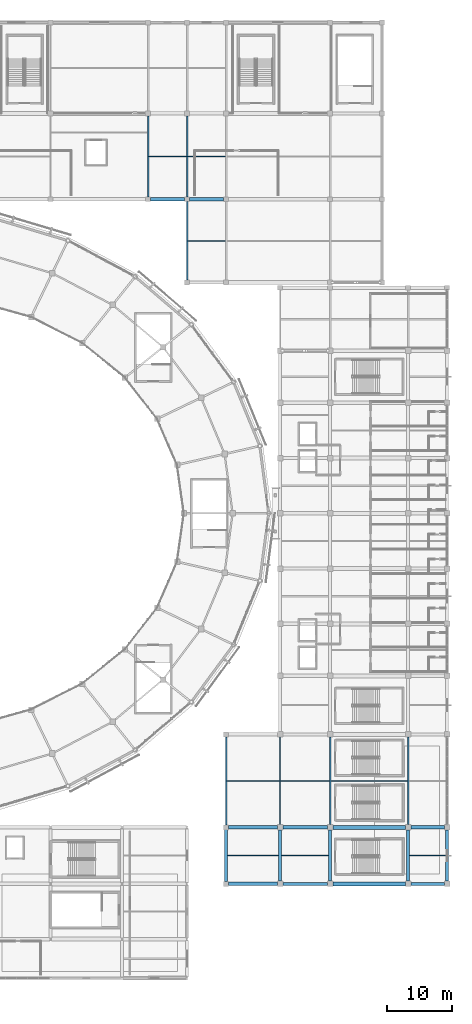
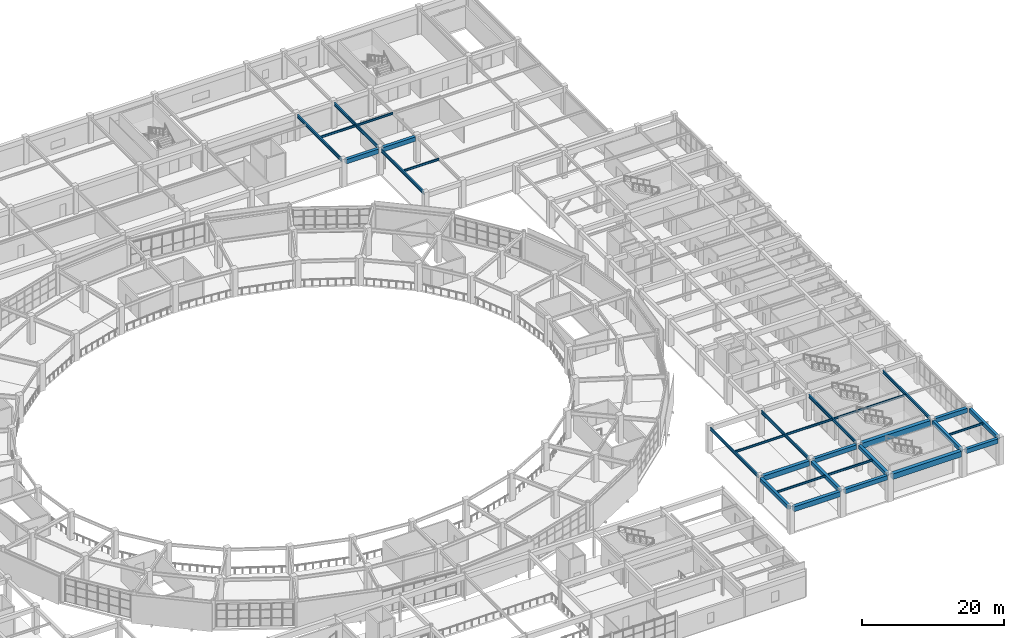
# One storey, part 51 of 112: 31 beams.
"""IFC4 building model written with IfcOpenShell, lengths in metres."""

import ifcopenshell
import ifcopenshell.guid

model = None  # the IFC model being written
_history = None  # IfcOwnerHistory: only IFC2X3 demands one
_inside = {}  # id of a spatial element -> (the spatial element, [elements in it])
_under = {}  # id of a project, library or spatial element -> (it, [spatial elements below it])
_declared = {}  # id of a project -> (the project, [libraries it declares])
_typed = {}  # id of a type object -> (the type object, [elements of that type])
_made_of = {}  # id of a material, layer set ... -> (it, [elements and type objects made of it])


def new_model(schema):
    """Start an empty IFC model of exactly this schema.

    Asked for "IFC4X3", IfcOpenShell would pick the latest addendum, in which some entities
    have other attributes; the version numbers below select the first issue.
    IFC2X3 requires an IfcOwnerHistory on every rooted entity: one is made here for all.
    """
    global model, _history
    if schema == "IFC4X3":
        model = ifcopenshell.file(schema_version=(4, 3, 0, 0))
    else:
        model = ifcopenshell.file(schema=schema)
    _inside.clear()
    _under.clear()
    _declared.clear()
    _typed.clear()
    _made_of.clear()
    _history = None
    if model.schema == "IFC2X3":
        org = make("IfcOrganization", Name="unknown")
        user = make(
            "IfcPersonAndOrganization",
            ThePerson=make("IfcPerson", FamilyName="unknown"),
            TheOrganization=org,
        )
        app = make(
            "IfcApplication",
            ApplicationDeveloper=org,
            Version="unknown",
            ApplicationFullName="unknown",
            ApplicationIdentifier="unknown",
        )
        _history = make(
            "IfcOwnerHistory",
            OwningUser=user,
            OwningApplication=app,
            ChangeAction="ADDED",
            CreationDate=0,
        )
    return model


def make(cls, **values):
    """One entity of the class cls with the attributes given. An attribute that is None is left unset."""
    return model.create_entity(
        cls, **{name: value for name, value in values.items() if value is not None}
    )


def rooted(cls, **values):
    """An entity with a GlobalId (a new one), such as an element, a storey or a relation."""
    return make(cls, GlobalId=ifcopenshell.guid.new(), OwnerHistory=_history, **values)


def si_unit(unit_type, name, prefix=None):
    """IfcSIUnit, for example si_unit("LENGTHUNIT", "METRE", prefix="MILLI")."""
    return make("IfcSIUnit", UnitType=unit_type, Prefix=prefix, Name=name)


def assignment(units):
    """IfcUnitAssignment: the units of a project."""
    return None if units is None else make("IfcUnitAssignment", Units=units)


def point(xyz):
    """IfcCartesianPoint."""
    return None if xyz is None else make("IfcCartesianPoint", Coordinates=xyz)


def direction(xyz):
    """IfcDirection."""
    return None if xyz is None else make("IfcDirection", DirectionRatios=xyz)


def frame(location, z_axis=None, x_axis=None):
    """IfcAxis2Placement3D, a coordinate frame: its origin and axes. An axis left out is left unset."""
    return make(
        "IfcAxis2Placement3D",
        Location=point(location),
        Axis=direction(z_axis),
        RefDirection=direction(x_axis),
    )


def frame_2d(location, x_axis=None):
    """IfcAxis2Placement2D, a coordinate frame in the plane: its origin and x axis."""
    return make(
        "IfcAxis2Placement2D", Location=point(location), RefDirection=direction(x_axis)
    )


def origin():
    """The frame at (0, 0, 0) with its axes left unset."""
    return frame((0.0, 0.0, 0.0))


def origin_2d():
    """The frame at (0, 0) in the plane with its x axis left unset."""
    return frame_2d((0.0, 0.0))


def place(relative_to, where):
    """IfcLocalPlacement: puts the frame where relative to a parent placement (None: the world)."""
    return make(
        "IfcLocalPlacement", PlacementRelTo=relative_to, RelativePlacement=where
    )


def context(
    kind, dimensions, precision=None, world=None, true_north=None, identifier=None
):
    """IfcGeometricRepresentationContext, for example the 3D "Model" context."""
    return make(
        "IfcGeometricRepresentationContext",
        ContextIdentifier=identifier,
        ContextType=kind,
        CoordinateSpaceDimension=dimensions,
        Precision=precision,
        WorldCoordinateSystem=world,
        TrueNorth=true_north,
    )


def subcontext(parent, identifier, kind, view, scale=None):
    """IfcGeometricRepresentationSubContext, for example "Body" below "Model"."""
    return make(
        "IfcGeometricRepresentationSubContext",
        ContextIdentifier=identifier,
        ContextType=kind,
        ParentContext=parent,
        TargetScale=scale,
        TargetView=view,
    )


def project(units=None, contexts=None):
    """IfcProject with its units and contexts."""
    return rooted(
        "IfcProject",
        Name="project",
        RepresentationContexts=contexts,
        UnitsInContext=assignment(units),
    )


def spatial(cls, under=None, at=None, **own):
    """A site, building, storey or space (cls), placed at a placement, below another one or the project."""
    s = rooted(cls, ObjectPlacement=at, **own)
    if under is not None:
        _under.setdefault(under.id(), (under, []))[1].append(s)
    return s


def profile(cls, at=None, kind="AREA", **sizes):
    """A parametric profile (cls). Its sizes go by their IFC names, for example OverallWidth=200.0."""
    return make(cls, ProfileType=kind, Position=at, **sizes)


def rectangle(**sizes):
    """IfcRectangleProfileDef."""
    return profile("IfcRectangleProfileDef", **sizes)


def i_section(**sizes):
    """IfcIShapeProfileDef."""
    return profile("IfcIShapeProfileDef", **sizes)


def extrude(swept, where, along, depth):
    """IfcExtrudedAreaSolid: the profile swept, set in the frame where, extruded along a direction by depth."""
    return make(
        "IfcExtrudedAreaSolid",
        SweptArea=swept,
        Position=where,
        ExtrudedDirection=direction(along),
        Depth=depth,
    )


def shape(context_of_items, identifier, shape_type, items):
    """IfcShapeRepresentation: the items that make up one representation, for example the "Body"."""
    return make(
        "IfcShapeRepresentation",
        ContextOfItems=context_of_items,
        RepresentationIdentifier=identifier,
        RepresentationType=shape_type,
        Items=items,
    )


def material(Name=None, Category=None):
    """IfcMaterial."""
    return make("IfcMaterial", Name=Name, Category=Category)


def material_profile(
    of_material, cross_section, Name=None, Category=None, Priority=None
):
    """IfcMaterialProfile: a cross section and its material."""
    return make(
        "IfcMaterialProfile",
        Name=Name,
        Material=of_material,
        Profile=cross_section,
        Priority=Priority,
        Category=Category,
    )


def profile_set(profiles, Name=None, composite=None):
    """IfcMaterialProfileSet."""
    return make(
        "IfcMaterialProfileSet",
        Name=Name,
        MaterialProfiles=profiles,
        CompositeProfile=composite,
    )


def made_of(thing, what):
    """Note that an element or type object is made of a material, layer set ...; save() writes the relation."""
    if what is not None:
        _made_of.setdefault(what.id(), (what, []))[1].append(thing)
    return thing


def type_object(cls, material=None, **own):
    """A type object (cls), such as IfcWallType, which elements share."""
    return made_of(rooted(cls, **own), material)


def element(
    cls,
    number,
    at=None,
    inside=None,
    cuts=None,
    type_object=None,
    material=None,
    context=None,
    identifier="Body",
    shape_type=None,
    held_by="IfcProductDefinitionShape",
    body=None,
    shapes=None,
    **own,
):
    """One element of the class cls, such as IfcWall. Its Tag is "e" and its number.

    at: its placement. inside: the storey or other place that contains it. cuts: it is an
    opening in that element (IfcRelVoidsElement). A single representation is given by context,
    identifier, shape_type and body (its items); several are given by shapes. held_by: the class
    of the entity that holds the representations. save() writes the other relations.
    """
    e = rooted(cls, Tag="e%d" % number, ObjectPlacement=at, **own)
    if body is not None:
        shapes = [shape(context, identifier, shape_type, body)]
    if shapes is not None:
        e.Representation = make(held_by, Representations=shapes)
    if inside is not None:
        _inside.setdefault(inside.id(), (inside, []))[1].append(e)
    if cuts is not None:
        rooted(
            "IfcRelVoidsElement", RelatingBuildingElement=cuts, RelatedOpeningElement=e
        )
    if type_object is not None:
        _typed.setdefault(type_object.id(), (type_object, []))[1].append(e)
    return made_of(e, material)


def aggregate(whole, parts):
    """IfcRelAggregates: a whole, such as a stair, and the parts it consists of."""
    return rooted("IfcRelAggregates", RelatingObject=whole, RelatedObjects=parts)


def save(model, path):
    """Write the relations noted so far, then the file.

    IfcRelAggregates (storeys below a building ...), IfcRelContainedInSpatialStructure (elements
    in a storey), IfcRelDefinesByType, IfcRelAssociatesMaterial and IfcRelDeclares: one each for
    every whole, place, type object, material and project.
    """
    for whole, parts in _under.values():
        aggregate(whole, parts)
    for where, things in _inside.values():
        rooted(
            "IfcRelContainedInSpatialStructure",
            RelatedElements=things,
            RelatingStructure=where,
        )
    for kind, things in _typed.values():
        rooted("IfcRelDefinesByType", RelatedObjects=things, RelatingType=kind)
    for what, things in _made_of.values():
        rooted("IfcRelAssociatesMaterial", RelatedObjects=things, RelatingMaterial=what)
    for by, libraries in _declared.values():
        rooted("IfcRelDeclares", RelatingContext=by, RelatedDefinitions=libraries)
    model.write(path)


model = new_model("IFC4")

# Units and contexts
model_context = context("Model", 3, precision=1e-05, world=origin(), true_north=direction((0.0, 1.0)))
body_context = subcontext(model_context, "Body", "Model", "MODEL_VIEW")
ifc_project = project(units=[si_unit("LENGTHUNIT", "METRE"), si_unit("AREAUNIT", "SQUARE_METRE"), si_unit("VOLUMEUNIT", "CUBIC_METRE"), si_unit("PLANEANGLEUNIT", "RADIAN"), si_unit("MASSUNIT", "GRAM", prefix="KILO")], contexts=[model_context])

# Site, building, storey
site_placement = place(None, origin())
site = spatial("IfcSite", under=ifc_project, at=site_placement, CompositionType="ELEMENT")
building_placement = place(site_placement, origin())
building = spatial("IfcBuilding", under=site, at=building_placement, Name="Cuetzalor Civic Arena", CompositionType="ELEMENT")
storey_placement = place(building_placement, frame((0.0, 0.0, 11.39990234375)))
storey = spatial("IfcBuildingStorey", under=building, at=storey_placement, Name="L02", CompositionType="ELEMENT", Elevation=11.39990234375)

# Beams
ifc_material_1 = material(Name="Concrete C40/50", Category="concrete")
ifc_material_profile_1 = material_profile(ifc_material_1, rectangle(XDim=0.5, YDim=0.75, at=origin_2d()), Name="RC 500x750")
ifc_profile_set_1 = profile_set([ifc_material_profile_1], Name="Concrete C40/50")
beam_type_1 = type_object("IfcBeamType", Name="ConcreteFrameBeam_500x750", PredefinedType="BEAM", material=ifc_profile_set_1)
beam_1_placement = place(storey_placement, frame((56.715087890625, -57.0, 4.14501953125), z_axis=(1.0, 0.0, 0.0), x_axis=(0.0, 1.0, 0.0)))
element("IfcBeam", 1, at=beam_1_placement, inside=storey, type_object=beam_type_1, Name="Frame Girder V4E-L02-X0701", PredefinedType="BEAM", context=body_context, shape_type="SweptSolid", body=[
    extrude(rectangle(XDim=0.5, YDim=0.75, at=origin_2d()), origin(), (0.0, 0.0, 1.0), 6.869873046875),
])
beam_2_placement = place(storey_placement, frame((76.4150390625, -57.0, 4.14501953125), z_axis=(1.0, 0.0, 0.0), x_axis=(0.0, 1.0, 0.0)))
element("IfcBeam", 2, at=beam_2_placement, inside=storey, type_object=beam_type_1, Name="Frame Girder V4E-L02-X0703", PredefinedType="BEAM", context=body_context, shape_type="SweptSolid", body=[
    extrude(rectangle(XDim=0.5, YDim=0.75, at=origin_2d()), origin(), (0.0, 0.0, 1.0), 5.169921875),
])
beam_3_placement = place(storey_placement, frame((56.715087890625, -48.300048828125, 4.14501953125), z_axis=(1.0, 0.0, 0.0), x_axis=(0.0, 1.0, 0.0)))
element("IfcBeam", 3, at=beam_3_placement, inside=storey, type_object=beam_type_1, Name="Frame Girder V4E-L02-X0705", PredefinedType="BEAM", context=body_context, shape_type="SweptSolid", body=[
    extrude(rectangle(XDim=0.5, YDim=0.75, at=origin_2d()), origin(), (0.0, 0.0, 1.0), 6.869873046875),
])
beam_4_placement = place(storey_placement, frame((76.4150390625, -48.300048828125, 4.14501953125), z_axis=(1.0, 0.0, 0.0), x_axis=(0.0, 1.0, 0.0)))
element("IfcBeam", 4, at=beam_4_placement, inside=storey, type_object=beam_type_1, Name="Frame Girder V4E-L02-X0707", PredefinedType="BEAM", context=body_context, shape_type="SweptSolid", body=[
    extrude(rectangle(XDim=0.5, YDim=0.75, at=origin_2d()), origin(), (0.0, 0.0, 1.0), 5.169921875),
])
for number, where, z_axis, x_axis, name in (
    (5, (36.364990234375, 48.300048828125, 4.10498046875), (1.0, 0.0, 0.0), (0.0, 1.0, 0.0), "Frame Girder V5-L02-X0794"),
    (6, (42.364990234375, 48.300048828125, 4.10498046875), (1.0, 0.0, 0.0), (0.0, 1.0, 0.0), "Frame Girder V5-L02-X0795"),
):
    element("IfcBeam", number, at=place(storey_placement, frame(where, z_axis=z_axis, x_axis=x_axis)), inside=storey, type_object=beam_type_1, Name=name, PredefinedType="BEAM", context=body_context, shape_type="SweptSolid", body=[
        extrude(rectangle(XDim=0.5, YDim=0.75, at=origin_2d()), origin(), (0.0, 0.0, 1.0), 5.27001953125),
    ])
ifc_material_2 = material(Name="Concrete C40/50", Category="concrete")
ifc_material_profile_2 = material_profile(ifc_material_2, rectangle(XDim=0.550048828125, YDim=0.85009765625, at=origin_2d()), Name="RC 550x850")
ifc_profile_set_2 = profile_set([ifc_material_profile_2], Name="Concrete C40/50")
beam_type_2 = type_object("IfcBeamType", Name="ConcreteFrameBeam_550x850", PredefinedType="BEAM", material=ifc_profile_set_2)
for number, where, z_axis, x_axis, name in (
    (7, (48.364990234375, -57.0, 4.03515625), (1.0, 0.0, 0.0), (0.0, 1.0, 0.0), "Frame Girder V4E-L02-X0700"),
    (8, (48.364990234375, -48.300048828125, 4.03515625), (1.0, 0.0, 0.0), (0.0, 1.0, 0.0), "Frame Girder V4E-L02-X0704"),
):
    element("IfcBeam", number, at=place(storey_placement, frame(where, z_axis=z_axis, x_axis=x_axis)), inside=storey, type_object=beam_type_2, Name=name, PredefinedType="BEAM", context=body_context, shape_type="SweptSolid", body=[
        extrude(rectangle(XDim=0.550048828125, YDim=0.85009765625, at=origin_2d()), origin(), (0.0, 0.0, 1.0), 7.52001953125),
    ])
ifc_material_3 = material(Name="Concrete C40/50", Category="concrete")
ifc_material_profile_3 = material_profile(ifc_material_3, rectangle(XDim=0.60009765625, YDim=0.949951171875, at=origin_2d()), Name="RC 600x950")
ifc_profile_set_3 = profile_set([ifc_material_profile_3], Name="Concrete C40/50")
beam_type_3 = type_object("IfcBeamType", Name="ConcreteFrameBeam_600x950", PredefinedType="BEAM", material=ifc_profile_set_3)
for number, where, z_axis, x_axis, name in (
    (9, (64.4150390625, -57.0, 4.045166015625), (1.0, 0.0, 0.0), (0.0, 1.0, 0.0), "Frame Girder V4E-L02-X0702"),
    (10, (64.4150390625, -48.300048828125, 4.045166015625), (1.0, 0.0, 0.0), (0.0, 1.0, 0.0), "Frame Girder V4E-L02-X0706"),
):
    element("IfcBeam", number, at=place(storey_placement, frame(where, z_axis=z_axis, x_axis=x_axis)), inside=storey, type_object=beam_type_3, Name=name, PredefinedType="BEAM", context=body_context, shape_type="SweptSolid", body=[
        extrude(rectangle(XDim=0.60009765625, YDim=0.949951171875, at=origin_2d()), origin(), (0.0, 0.0, 1.0), 11.169921875),
    ])
ifc_material_4 = material(Name="Concrete C40/50", Category="concrete")
ifc_material_profile_4 = material_profile(ifc_material_4, rectangle(XDim=0.449951171875, YDim=0.64990234375, at=origin_2d()), Name="RC 450x650")
ifc_profile_set_4 = profile_set([ifc_material_profile_4], Name="Concrete C40/50")
beam_type_4 = type_object("IfcBeamType", Name="ConcreteTieBeam_450x650", PredefinedType="BEAM", material=ifc_profile_set_4)
beam_5_placement = place(storey_placement, frame((48.0, -56.635009765625, 4.135009765625), z_axis=(0.0, 1.0, 0.0), x_axis=(-1.0, 0.0, 0.0)))
element("IfcBeam", 11, at=beam_5_placement, inside=storey, type_object=beam_type_4, Name="Frame Girder V4E-L02-Y0736", PredefinedType="BEAM", context=body_context, shape_type="SweptSolid", body=[
    extrude(rectangle(XDim=0.449951171875, YDim=0.64990234375, at=origin_2d()), origin(), (0.0, 0.0, 1.0), 7.969970703125),
])
for number, where, z_axis, x_axis, name in (
    (12, (56.300048828125, -56.5849609375, 4.135009765625), (0.0, 1.0, 0.0), (-1.0, 0.0, 0.0), "Frame Girder V4E-L02-Y0738"),
    (13, (64.0, -56.5849609375, 4.195068359375), (0.0, 1.0, 0.0), (-1.0, 0.0, 0.0), "Frame Girder V4E-L02-Y0748"),
    (14, (76.0, -56.5849609375, 4.195068359375), (0.0, 1.0, 0.0), (-1.0, 0.0, 0.0), "Frame Girder V4E-L02-Y0758"),
    (15, (82.0, -56.5849609375, 4.195068359375), (0.0, 1.0, 0.0), (-1.0, 0.0, 0.0), "Frame Girder V4E-L02-Y0768"),
):
    element("IfcBeam", number, at=place(storey_placement, frame(where, z_axis=z_axis, x_axis=x_axis)), inside=storey, type_object=beam_type_4, Name=name, PredefinedType="BEAM", context=body_context, shape_type="SweptSolid", body=[
        extrude(rectangle(XDim=0.449951171875, YDim=0.64990234375, at=origin_2d()), origin(), (0.0, 0.0, 1.0), 7.869873046875),
    ])
ifc_material_5 = material(Name="Steel S355", Category="steel")
ifc_material_profile_5 = material_profile(ifc_material_5, i_section(OverallWidth=0.1708984375, OverallDepth=0.35498046875, WebThickness=0.007080078125, FlangeThickness=0.01171875, at=origin_2d()), Name="W360x51")
ifc_profile_set_5 = profile_set([ifc_material_profile_5], Name="Steel S355")
beam_type_5 = type_object("IfcBeamType", Name="SecondaryFloorJoist_W360", PredefinedType="JOIST", material=ifc_profile_set_5)
beam_6_placement = place(storey_placement, frame((48.217041015625, -52.64990234375, 4.28271484375), z_axis=(1.0, 0.0, 0.0), x_axis=(0.0, 1.0, 0.0)))
element("IfcBeam", 16, at=beam_6_placement, inside=storey, type_object=beam_type_5, Name="Secondary Floor Joist V4E-L02-0217", PredefinedType="JOIST", context=body_context, shape_type="SweptSolid", body=[
    extrude(i_section(OverallWidth=0.1708984375, OverallDepth=0.35498046875, WebThickness=0.007080078125, FlangeThickness=0.01171875, at=origin_2d()), origin(), (0.0, 0.0, 1.0), 7.865966796875),
])
beam_7_placement = place(storey_placement, frame((48.096435546875, -41.14990234375, 4.28271484375), z_axis=(1.0, 0.0, 0.0), x_axis=(0.0, 1.0, 0.0)))
element("IfcBeam", 17, at=beam_7_placement, inside=storey, type_object=beam_type_5, Name="Secondary Floor Joist V4E-L02-0218", PredefinedType="JOIST", context=body_context, shape_type="SweptSolid", body=[
    extrude(i_section(OverallWidth=0.1708984375, OverallDepth=0.35498046875, WebThickness=0.007080078125, FlangeThickness=0.01171875, at=origin_2d()), origin(), (0.0, 0.0, 1.0), 8.107177734375),
])
beam_8_placement = place(storey_placement, frame((56.51708984375, -52.64990234375, 4.342529296875), z_axis=(1.0, 0.0, 0.0), x_axis=(0.0, 1.0, 0.0)))
element("IfcBeam", 18, at=beam_8_placement, inside=storey, type_object=beam_type_5, Name="Secondary Floor Joist V4E-L02-0219", PredefinedType="JOIST", context=body_context, shape_type="SweptSolid", body=[
    extrude(i_section(OverallWidth=0.1708984375, OverallDepth=0.35498046875, WebThickness=0.007080078125, FlangeThickness=0.01171875, at=origin_2d()), origin(), (0.0, 0.0, 1.0), 7.265869140625),
])
beam_9_placement = place(storey_placement, frame((56.396484375, -41.14990234375, 4.342529296875), z_axis=(1.0, 0.0, 0.0), x_axis=(0.0, 1.0, 0.0)))
element("IfcBeam", 19, at=beam_9_placement, inside=storey, type_object=beam_type_5, Name="Secondary Floor Joist V4E-L02-0220", PredefinedType="JOIST", context=body_context, shape_type="SweptSolid", body=[
    extrude(i_section(OverallWidth=0.1708984375, OverallDepth=0.35498046875, WebThickness=0.007080078125, FlangeThickness=0.01171875, at=origin_2d()), origin(), (0.0, 0.0, 1.0), 7.507080078125),
])
beam_10_placement = place(storey_placement, frame((64.096435546875, -41.14990234375, 4.342529296875), z_axis=(1.0, 0.0, 0.0), x_axis=(0.0, 1.0, 0.0)))
element("IfcBeam", 20, at=beam_10_placement, inside=storey, type_object=beam_type_5, Name="Secondary Floor Joist V4E-L02-0228", PredefinedType="JOIST", context=body_context, shape_type="SweptSolid", body=[
    extrude(i_section(OverallWidth=0.1708984375, OverallDepth=0.35498046875, WebThickness=0.007080078125, FlangeThickness=0.01171875, at=origin_2d()), origin(), (0.0, 0.0, 1.0), 11.80712890625),
])
beam_11_placement = place(storey_placement, frame((76.217041015625, -52.64990234375, 4.342529296875), z_axis=(1.0, 0.0, 0.0), x_axis=(0.0, 1.0, 0.0)))
element("IfcBeam", 21, at=beam_11_placement, inside=storey, type_object=beam_type_5, Name="Secondary Floor Joist V4E-L02-0235", PredefinedType="JOIST", context=body_context, shape_type="SweptSolid", body=[
    extrude(i_section(OverallWidth=0.1708984375, OverallDepth=0.35498046875, WebThickness=0.007080078125, FlangeThickness=0.01171875, at=origin_2d()), origin(), (0.0, 0.0, 1.0), 5.56591796875),
])
for number, where, z_axis, x_axis, name in (
    (22, (36.096435546875, 54.89990234375, 4.302490234375), (1.0, 0.0, 0.0), (0.0, 1.0, 0.0), "Secondary Floor Joist V5-L02-0256"),
    (23, (42.096435546875, 41.89990234375, 4.302490234375), (1.0, 0.0, 0.0), (0.0, 1.0, 0.0), "Secondary Floor Joist V5-L02-0258"),
    (24, (42.096435546875, 54.89990234375, 4.302490234375), (1.0, 0.0, 0.0), (0.0, 1.0, 0.0), "Secondary Floor Joist V5-L02-0259"),
):
    element("IfcBeam", number, at=place(storey_placement, frame(where, z_axis=z_axis, x_axis=x_axis)), inside=storey, type_object=beam_type_5, Name=name, PredefinedType="JOIST", context=body_context, shape_type="SweptSolid", body=[
        extrude(i_section(OverallWidth=0.1708984375, OverallDepth=0.35498046875, WebThickness=0.007080078125, FlangeThickness=0.01171875, at=origin_2d()), origin(), (0.0, 0.0, 1.0), 5.80712890625),
    ])
ifc_material_6 = material(Name="Steel S355", Category="steel")
ifc_material_profile_6 = material_profile(ifc_material_6, i_section(OverallWidth=0.208984375, OverallDepth=0.532958984375, WebThickness=0.01025390625, FlangeThickness=0.015625, at=origin_2d()), Name="W530x92")
ifc_profile_set_6 = profile_set([ifc_material_profile_6], Name="Steel S355")
beam_type_6 = type_object("IfcBeamType", Name="SteelCollarGirder_W530", PredefinedType="BEAM", material=ifc_profile_set_6)
beam_12_placement = place(storey_placement, frame((48.0, -47.93505859375, 4.193603515625), z_axis=(0.0, 1.0, 0.0), x_axis=(-1.0, 0.0, 0.0)))
element("IfcBeam", 25, at=beam_12_placement, inside=storey, type_object=beam_type_6, Name="Frame Girder V4E-L02-Y0737", PredefinedType="BEAM", context=body_context, shape_type="SweptSolid", body=[
    extrude(i_section(OverallWidth=0.208984375, OverallDepth=0.532958984375, WebThickness=0.01025390625, FlangeThickness=0.015625, at=origin_2d()), origin(), (0.0, 0.0, 1.0), 13.570068359375),
])
for number, where, z_axis, x_axis, name in (
    (26, (56.300048828125, -47.885009765625, 4.193603515625), (0.0, 1.0, 0.0), (-1.0, 0.0, 0.0), "Frame Girder V4E-L02-Y0739"),
    (27, (64.0, -47.885009765625, 4.253662109375), (0.0, 1.0, 0.0), (-1.0, 0.0, 0.0), "Frame Girder V4E-L02-Y0749"),
    (28, (76.0, -47.885009765625, 4.253662109375), (0.0, 1.0, 0.0), (-1.0, 0.0, 0.0), "Frame Girder V4E-L02-Y0759"),
):
    element("IfcBeam", number, at=place(storey_placement, frame(where, z_axis=z_axis, x_axis=x_axis)), inside=storey, type_object=beam_type_6, Name=name, PredefinedType="BEAM", context=body_context, shape_type="SweptSolid", body=[
        extrude(i_section(OverallWidth=0.208984375, OverallDepth=0.532958984375, WebThickness=0.01025390625, FlangeThickness=0.015625, at=origin_2d()), origin(), (0.0, 0.0, 1.0), 13.469970703125),
    ])
beam_13_placement = place(storey_placement, frame((36.0, 48.6650390625, 4.213623046875), z_axis=(0.0, 1.0, 0.0), x_axis=(-1.0, 0.0, 0.0)))
element("IfcBeam", 29, at=beam_13_placement, inside=storey, type_object=beam_type_6, Name="Frame Girder V5-L02-Y0840", PredefinedType="BEAM", context=body_context, shape_type="SweptSolid", body=[
    extrude(i_section(OverallWidth=0.208984375, OverallDepth=0.532958984375, WebThickness=0.01025390625, FlangeThickness=0.015625, at=origin_2d()), origin(), (0.0, 0.0, 1.0), 12.469970703125),
])
beam_14_placement = place(storey_placement, frame((42.0, 35.864990234375, 4.213623046875), z_axis=(0.0, 1.0, 0.0), x_axis=(-1.0, 0.0, 0.0)))
element("IfcBeam", 30, at=beam_14_placement, inside=storey, type_object=beam_type_6, Name="Frame Girder V5-L02-Y0842", PredefinedType="BEAM", context=body_context, shape_type="SweptSolid", body=[
    extrude(i_section(OverallWidth=0.208984375, OverallDepth=0.532958984375, WebThickness=0.01025390625, FlangeThickness=0.015625, at=origin_2d()), origin(), (0.0, 0.0, 1.0), 12.070068359375),
])
beam_15_placement = place(storey_placement, frame((42.0, 48.6650390625, 4.213623046875), z_axis=(0.0, 1.0, 0.0), x_axis=(-1.0, 0.0, 0.0)))
element("IfcBeam", 31, at=beam_15_placement, inside=storey, type_object=beam_type_6, Name="Frame Girder V5-L02-Y0843", PredefinedType="BEAM", context=body_context, shape_type="SweptSolid", body=[
    extrude(i_section(OverallWidth=0.208984375, OverallDepth=0.532958984375, WebThickness=0.01025390625, FlangeThickness=0.015625, at=origin_2d()), origin(), (0.0, 0.0, 1.0), 12.469970703125),
])

save(model, "model.ifc")
